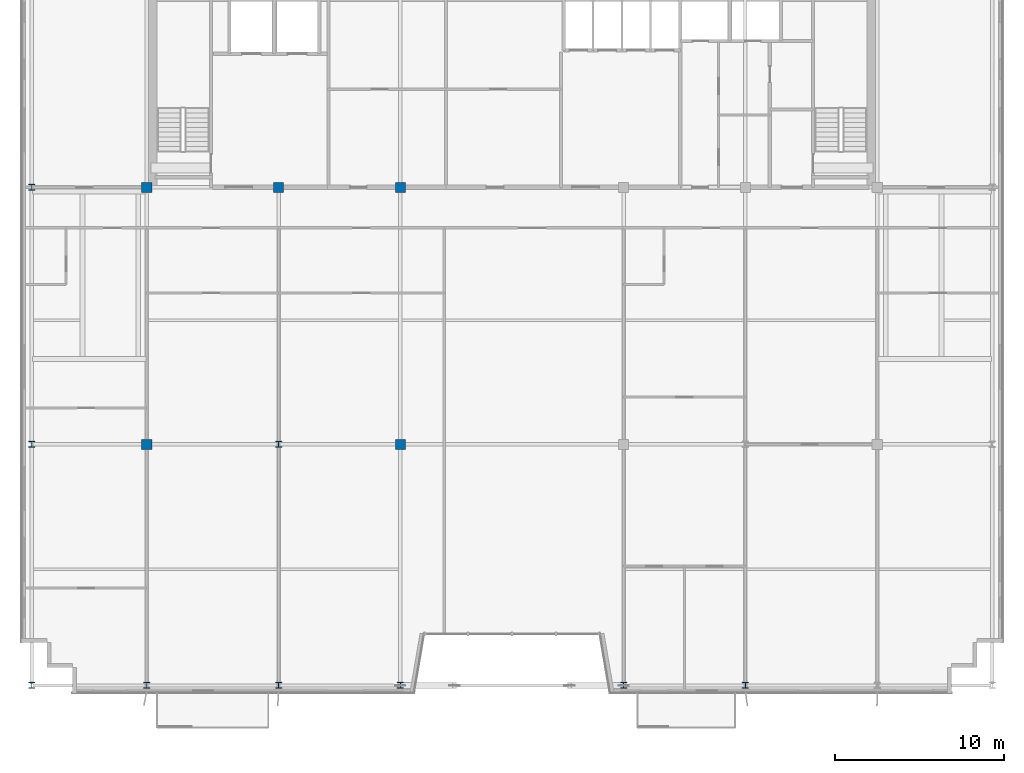
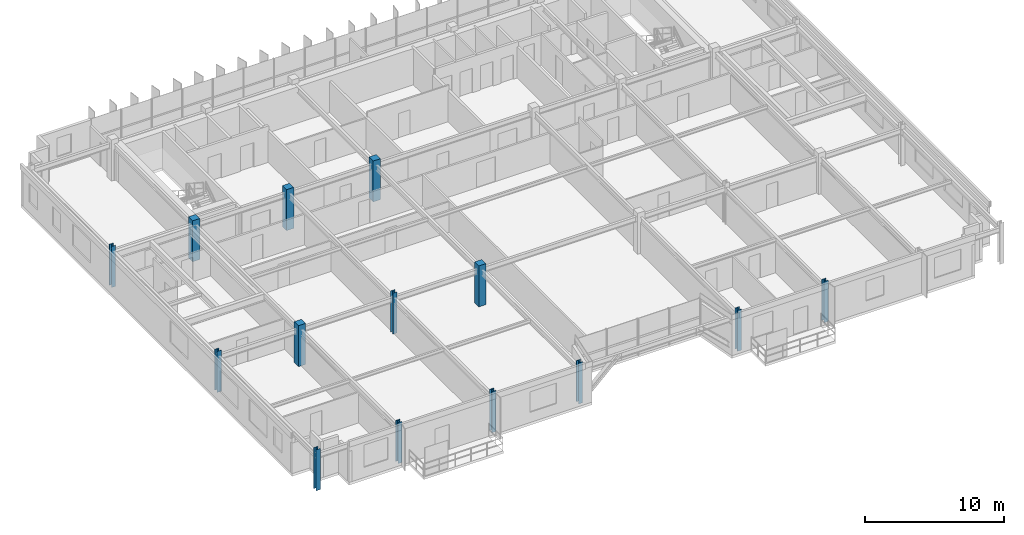
# One storey, part 1 of 26: 14 columns.
"""IFC4 building model written with IfcOpenShell, lengths in metres."""

from ifc_helpers import new_model, si_unit, direction, frame, origin, origin_2d, place, context, subcontext, project, spatial, rectangle, i_section, extrude, source, transform, mapped, material, material_profile, profile_set, type_object, element, save


model = new_model("IFC4")

# Units and contexts
model_context = context("Model", 3, precision=1e-05, world=origin(), true_north=direction((0.0, 1.0)))
body_context = subcontext(model_context, "Body", "Model", "MODEL_VIEW")
ifc_project = project(units=[si_unit("LENGTHUNIT", "METRE"), si_unit("AREAUNIT", "SQUARE_METRE"), si_unit("VOLUMEUNIT", "CUBIC_METRE"), si_unit("PLANEANGLEUNIT", "RADIAN"), si_unit("MASSUNIT", "GRAM", prefix="KILO")], contexts=[model_context])

# Site, building, storey
site_placement = place(None, origin())
site = spatial("IfcSite", under=ifc_project, at=site_placement, CompositionType="ELEMENT")
building_placement = place(site_placement, origin())
building = spatial("IfcBuilding", under=site, at=building_placement, Name="Trelvane Seafront Commons", CompositionType="ELEMENT")
storey_placement = place(building_placement, frame((0.0, 0.0, 291.89990234375)))
storey = spatial("IfcBuildingStorey", under=building, at=storey_placement, Name="L76", CompositionType="ELEMENT", Elevation=291.89990234375)

# Columns
ifc_material_1 = material(Name="Steel SM355 (S355)", Category="steel")
ifc_material_profile_1 = material_profile(ifc_material_1, i_section(OverallWidth=0.35009765625, OverallDepth=0.35009765625, WebThickness=0.01806640625, FlangeThickness=0.028076171875, at=origin_2d()), Name="HD-350x350x18x28")
ifc_profile_set_1 = profile_set([ifc_material_profile_1], Name="Steel SM355 (S355)")
column_type_1 = type_object("IfcColumnType", Name="STR-COL-HD350", PredefinedType="COLUMN", material=ifc_profile_set_1)
shared_shape_1 = source(origin(), body_context, "Body", "SweptSolid", [
    extrude(i_section(OverallWidth=0.35009765625, OverallDepth=0.35009765625, WebThickness=0.01806640625, FlangeThickness=0.028076171875, at=origin_2d()), origin(), (0.0, 0.0, 1.0), 3.60009765625),
])
for number, where, z_axis, x_axis, name in (
    (1, (8.800048828125, 3.949951171875, 0.0), (0.0, 0.0, 1.0), (1.0, 0.0, 0.0), "L76 Column TC-S8.8"),
    (2, (8.800048828125, 18.199951171875, 0.0), (0.0, 0.0, 1.0), (1.0, 0.0, 0.0), "L76 Column TC-M8.8"),
    (3, (8.800048828125, 33.39990234375, 0.0), (0.0, 0.0, 1.0), (1.0, 0.0, 0.0), "L76 Column TC-CS8.8"),
    (4, (15.60009765625, 3.949951171875, 0.0), (0.0, 0.0, 1.0), (1.0, 0.0, 0.0), "L76 Column TC-S15.6"),
    (5, (23.39990234375, 3.949951171875, 0.0), (0.0, 0.0, 1.0), (1.0, 0.0, 0.0), "L76 Column TC-S23.4"),
    (6, (23.39990234375, 18.199951171875, 0.0), (0.0, 0.0, 1.0), (1.0, 0.0, 0.0), "L76 Column TC-M23.4"),
    (7, (30.60009765625, 3.949951171875, 0.0), (0.0, 0.0, 1.0), (1.0, 0.0, 0.0), "L76 Column TC-S30.6"),
    (8, (43.800048828125, 3.949951171875, 0.0), (0.0, 0.0, 1.0), (1.0, 0.0, 0.0), "L76 Column TC-S43.8"),
    (9, (51.0, 3.949951171875, 0.0), (0.0, 0.0, 1.0), (1.0, 0.0, 0.0), "L76 Column TC-S51.0"),
):
    element("IfcColumn", number, at=place(storey_placement, frame(where, z_axis=z_axis, x_axis=x_axis)), inside=storey, type_object=column_type_1, Name=name, PredefinedType="COLUMN", context=body_context, shape_type="MappedRepresentation", body=[
        mapped(shared_shape_1, transform((0.0, 0.0, 0.0), x_axis=(1.0, 0.0, 0.0), y_axis=(0.0, 1.0, 0.0), z_axis=(0.0, 0.0, 1.0), scale=1.0)),
    ])
ifc_material_2 = material(Name="Concrete C50/60", Category="concrete")
ifc_material_profile_2 = material_profile(ifc_material_2, rectangle(XDim=0.60009765625, YDim=0.60009765625, at=origin_2d()), Name="RC-600x600")
ifc_profile_set_2 = profile_set([ifc_material_profile_2], Name="Concrete C50/60")
column_type_2 = type_object("IfcColumnType", Name="STR-COL-RC600", PredefinedType="COLUMN", material=ifc_profile_set_2)
shared_shape_2 = source(origin(), body_context, "Body", "SweptSolid", [
    extrude(rectangle(XDim=0.60009765625, YDim=0.60009765625, at=origin_2d()), origin(), (0.0, 0.0, 1.0), 3.60009765625),
])
for number, where, z_axis, x_axis, name in (
    (10, (15.60009765625, 18.199951171875, 0.0), (0.0, 0.0, 1.0), (1.0, 0.0, 0.0), "L76 Column TC-M15.6"),
    (11, (15.60009765625, 33.39990234375, 0.0), (0.0, 0.0, 1.0), (1.0, 0.0, 0.0), "L76 Column TC-CS15.6"),
    (12, (23.39990234375, 33.39990234375, 0.0), (0.0, 0.0, 1.0), (1.0, 0.0, 0.0), "L76 Column TC-CS23.4"),
    (13, (30.60009765625, 18.199951171875, 0.0), (0.0, 0.0, 1.0), (1.0, 0.0, 0.0), "L76 Column TC-M30.6"),
    (14, (30.60009765625, 33.39990234375, 0.0), (0.0, 0.0, 1.0), (1.0, 0.0, 0.0), "L76 Column TC-CS30.6"),
):
    element("IfcColumn", number, at=place(storey_placement, frame(where, z_axis=z_axis, x_axis=x_axis)), inside=storey, type_object=column_type_2, Name=name, PredefinedType="COLUMN", context=body_context, shape_type="MappedRepresentation", body=[
        mapped(shared_shape_2, transform((0.0, 0.0, 0.0), x_axis=(1.0, 0.0, 0.0), y_axis=(0.0, 1.0, 0.0), z_axis=(0.0, 0.0, 1.0), scale=1.0)),
    ])

save(model, "model.ifc")
